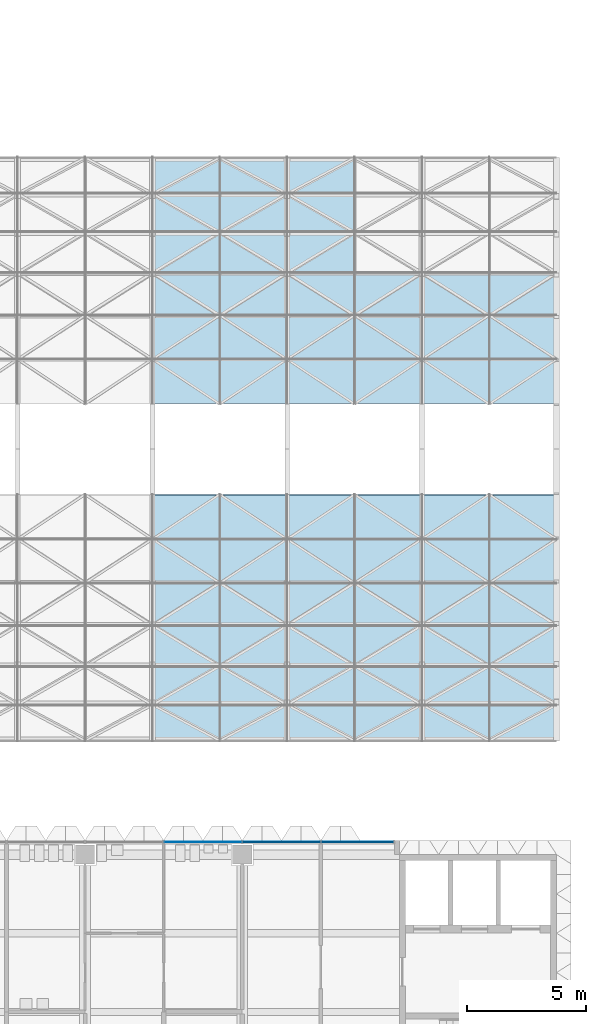
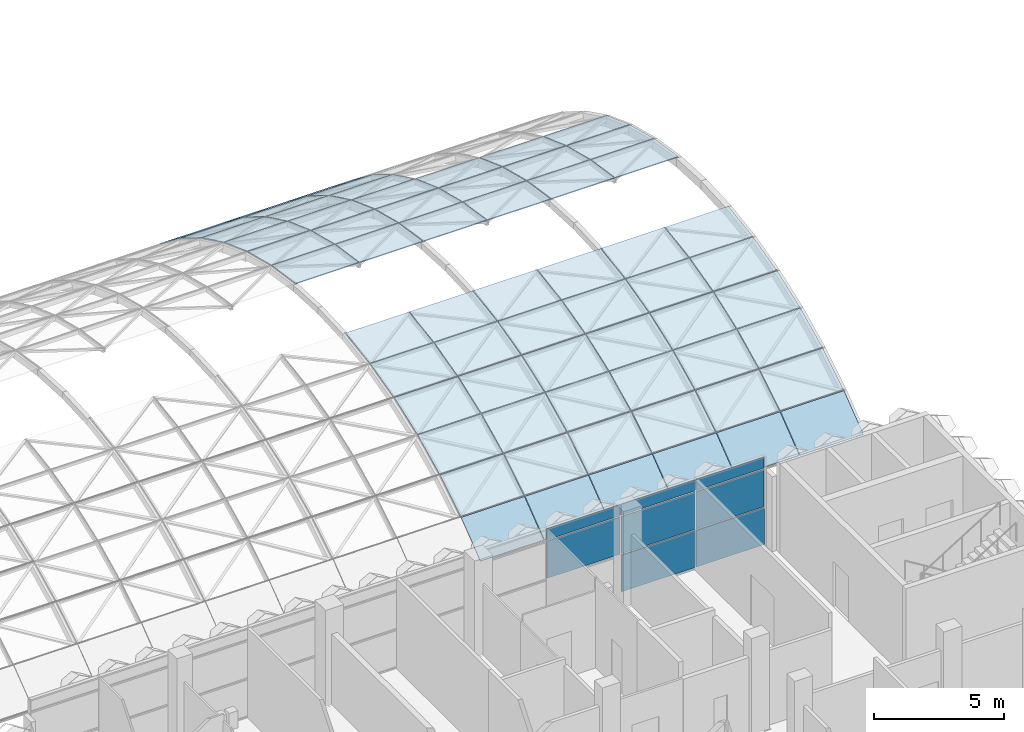
# One storey, part 23 of 85: 71 plates, 1 element without a shape of its own.
"""IFC4 building model written with IfcOpenShell, lengths in metres."""

from ifc_helpers import new_model, si_unit, direction, frame, origin, origin_2d, place, context, subcontext, project, spatial, polyline, rectangle, outline, extrude, material, layer, layer_set, type_object, element, aggregate, save


model = new_model("IFC4")

# Units and contexts
model_context = context("Model", 3, precision=1e-05, world=origin(), true_north=direction((0.0, 1.0)))
body_context = subcontext(model_context, "Body", "Model", "MODEL_VIEW")
ifc_project = project(units=[si_unit("LENGTHUNIT", "METRE"), si_unit("AREAUNIT", "SQUARE_METRE"), si_unit("VOLUMEUNIT", "CUBIC_METRE"), si_unit("PLANEANGLEUNIT", "RADIAN"), si_unit("MASSUNIT", "GRAM", prefix="KILO")], contexts=[model_context])

# Site, building, storey
site_placement = place(None, origin())
site = spatial("IfcSite", under=ifc_project, at=site_placement, CompositionType="ELEMENT")
building_placement = place(site_placement, origin())
building = spatial("IfcBuilding", under=site, at=building_placement, Name="Lantern Court Research Institute", CompositionType="ELEMENT")
storey_placement = place(building_placement, frame((0.0, 0.0, 18.89990234375)))
storey = spatial("IfcBuildingStorey", under=building, at=storey_placement, Name="L04", CompositionType="ELEMENT", Elevation=18.89990234375)

# Plates
ifc_material_1 = material(Name="Laminated low-emissivity glass", Category="glass")
ifc_layer_1 = layer(ifc_material_1, 0.035888671875)
ifc_layer_set_1 = layer_set([ifc_layer_1], Name="Laminated low-emissivity glass")
plate_type_1 = type_object("IfcPlateType", Name="Gridshell roof glazing panel 36", PredefinedType="SHEET", material=ifc_layer_set_1)
plate_1_placement = place(storey_placement, frame((65.047119140625, 34.502685546875, 3.881591796875), z_axis=(0.0, -0.249093192145, 0.9684795205), x_axis=(-1.0, 0.0, 0.0)))
element("IfcPlate", 1, at=plate_1_placement, inside=storey, type_object=plate_type_1, Name="Roof glazing panel", PredefinedType="SHEET", context=body_context, shape_type="SweptSolid", body=[
    extrude(outline(polyline([(0.0, 0.0), (2.80859375, 0.0), (2.80859375, -1.8818258177361935), (0.0, -1.8818258177361935), (0.0, 0.0)])), origin(), (0.0, 0.0, -1.0), 0.035888671875),
])
for number, where, z_axis, x_axis, name in (
    (2, (65.047119140625, 36.348876953125, 4.355224609375), (0.0, -0.150477827795, 0.988613384161), (-1.0, 0.0, 0.0), "Roof glazing panel"),
    (3, (65.047119140625, 42.04052734375, 4.638427734375), (0.0, 0.150477827795, 0.988613384161), (-1.0, 0.0, 0.0), "Roof glazing panel"),
):
    element("IfcPlate", number, at=place(storey_placement, frame(where, z_axis=z_axis, x_axis=x_axis)), inside=storey, type_object=plate_type_1, Name=name, PredefinedType="SHEET", context=body_context, shape_type="SweptSolid", body=[
        extrude(outline(polyline([(0.0, 0.0), (2.80859375, 0.0), (2.80859375, -1.8820256056964204), (0.0, -1.8820256056964204), (0.0, 0.0)])), origin(), (0.0, 0.0, -1.0), 0.035888671875),
    ])
for number, where, z_axis, x_axis, name in (
    (4, (65.047119140625, 43.9248046875, 4.350341796875), (0.0, 0.249093192145, 0.9684795205), (-1.0, 0.0, 0.0), "Roof glazing panel"),
    (5, (67.875732421875, 34.502685546875, 3.881591796875), (0.0, -0.249093192145, 0.9684795205), (-1.0, 0.0, 0.0), "Roof glazing panel"),
):
    element("IfcPlate", number, at=place(storey_placement, frame(where, z_axis=z_axis, x_axis=x_axis)), inside=storey, type_object=plate_type_1, Name=name, PredefinedType="SHEET", context=body_context, shape_type="SweptSolid", body=[
        extrude(outline(polyline([(0.0, 0.0), (2.80859375, 0.0), (2.80859375, -1.8818258177361935), (0.0, -1.8818258177361935), (0.0, 0.0)])), origin(), (0.0, 0.0, -1.0), 0.035888671875),
    ])
for number, where, z_axis, x_axis, name in (
    (6, (67.875732421875, 36.348876953125, 4.355224609375), (0.0, -0.150477827795, 0.988613384161), (-1.0, 0.0, 0.0), "Roof glazing panel"),
    (7, (67.875732421875, 42.04052734375, 4.638427734375), (0.0, 0.150477827795, 0.988613384161), (-1.0, 0.0, 0.0), "Roof glazing panel"),
):
    element("IfcPlate", number, at=place(storey_placement, frame(where, z_axis=z_axis, x_axis=x_axis)), inside=storey, type_object=plate_type_1, Name=name, PredefinedType="SHEET", context=body_context, shape_type="SweptSolid", body=[
        extrude(outline(polyline([(0.0, 0.0), (2.80859375, 0.0), (2.80859375, -1.8820256056964204), (0.0, -1.8820256056964204), (0.0, 0.0)])), origin(), (0.0, 0.0, -1.0), 0.035888671875),
    ])
for number, where, z_axis, x_axis, name in (
    (8, (67.875732421875, 43.9248046875, 4.350341796875), (0.0, 0.249093192145, 0.9684795205), (-1.0, 0.0, 0.0), "Roof glazing panel"),
    (9, (70.704345703125, 34.502685546875, 3.881591796875), (0.0, -0.249093192145, 0.9684795205), (-1.0, 0.0, 0.0), "Roof glazing panel"),
):
    element("IfcPlate", number, at=place(storey_placement, frame(where, z_axis=z_axis, x_axis=x_axis)), inside=storey, type_object=plate_type_1, Name=name, PredefinedType="SHEET", context=body_context, shape_type="SweptSolid", body=[
        extrude(outline(polyline([(0.0, 0.0), (2.80859375, 0.0), (2.80859375, -1.8818258177361935), (0.0, -1.8818258177361935), (0.0, 0.0)])), origin(), (0.0, 0.0, -1.0), 0.035888671875),
    ])
for number, where, z_axis, x_axis, name in (
    (10, (70.704345703125, 36.348876953125, 4.355224609375), (0.0, -0.150477827795, 0.988613384161), (-1.0, 0.0, 0.0), "Roof glazing panel"),
    (11, (70.704345703125, 42.04052734375, 4.638427734375), (0.0, 0.150477827795, 0.988613384161), (-1.0, 0.0, 0.0), "Roof glazing panel"),
):
    element("IfcPlate", number, at=place(storey_placement, frame(where, z_axis=z_axis, x_axis=x_axis)), inside=storey, type_object=plate_type_1, Name=name, PredefinedType="SHEET", context=body_context, shape_type="SweptSolid", body=[
        extrude(outline(polyline([(0.0, 0.0), (2.80859375, 0.0), (2.80859375, -1.8820256056964204), (0.0, -1.8820256056964204), (0.0, 0.0)])), origin(), (0.0, 0.0, -1.0), 0.035888671875),
    ])
for number, where, z_axis, x_axis, name in (
    (12, (70.704345703125, 43.9248046875, 4.350341796875), (0.0, 0.249093192145, 0.9684795205), (-1.0, 0.0, 0.0), "Roof glazing panel"),
    (13, (73.532958984375, 34.502685546875, 3.881591796875), (0.0, -0.249093192145, 0.9684795205), (-1.0, 0.0, 0.0), "Roof glazing panel"),
):
    element("IfcPlate", number, at=place(storey_placement, frame(where, z_axis=z_axis, x_axis=x_axis)), inside=storey, type_object=plate_type_1, Name=name, PredefinedType="SHEET", context=body_context, shape_type="SweptSolid", body=[
        extrude(outline(polyline([(0.0, 0.0), (2.80859375, 0.0), (2.80859375, -1.8818258177361935), (0.0, -1.8818258177361935), (0.0, 0.0)])), origin(), (0.0, 0.0, -1.0), 0.035888671875),
    ])
for number, where, z_axis, x_axis, name in (
    (14, (73.532958984375, 36.348876953125, 4.355224609375), (0.0, -0.150477827795, 0.988613384161), (-1.0, 0.0, 0.0), "Roof glazing panel"),
    (15, (73.532958984375, 42.04052734375, 4.638427734375), (0.0, 0.150477827795, 0.988613384161), (-1.0, 0.0, 0.0), "Roof glazing panel"),
):
    element("IfcPlate", number, at=place(storey_placement, frame(where, z_axis=z_axis, x_axis=x_axis)), inside=storey, type_object=plate_type_1, Name=name, PredefinedType="SHEET", context=body_context, shape_type="SweptSolid", body=[
        extrude(outline(polyline([(0.0, 0.0), (2.80859375, 0.0), (2.80859375, -1.8820256056964204), (0.0, -1.8820256056964204), (0.0, 0.0)])), origin(), (0.0, 0.0, -1.0), 0.035888671875),
    ])
plate_2_placement = place(storey_placement, frame((73.532958984375, 43.9248046875, 4.350341796875), z_axis=(0.0, 0.249093192145, 0.9684795205), x_axis=(-1.0, 0.0, 0.0)))
element("IfcPlate", 16, at=plate_2_placement, inside=storey, type_object=plate_type_1, Name="Roof glazing panel", PredefinedType="SHEET", context=body_context, shape_type="SweptSolid", body=[
    extrude(outline(polyline([(0.0, 0.0), (2.80859375, 0.0), (2.80859375, -1.8818258177361935), (0.0, -1.8818258177361935), (0.0, 0.0)])), origin(), (0.0, 0.0, -1.0), 0.035888671875),
])
plate_3_placement = place(storey_placement, frame((76.361328125, 34.502685546875, 3.881591796875), z_axis=(0.0, -0.249093192145, 0.9684795205), x_axis=(-1.0, 0.0, 0.0)))
element("IfcPlate", 17, at=plate_3_placement, inside=storey, type_object=plate_type_1, Name="Roof glazing panel", PredefinedType="SHEET", context=body_context, shape_type="SweptSolid", body=[
    extrude(outline(polyline([(0.0, 0.0), (2.808349609375, 0.0), (2.808349609375, -1.881825817736193), (0.0, -1.881825817736193), (0.0, 0.0)])), origin(), (0.0, 0.0, -1.0), 0.035888671875),
])
for number, where, z_axis, x_axis, name in (
    (18, (76.361328125, 36.348876953125, 4.355224609375), (0.0, -0.150477827795, 0.988613384161), (-1.0, 0.0, 0.0), "Roof glazing panel"),
    (19, (76.361328125, 42.04052734375, 4.638427734375), (0.0, 0.150477827795, 0.988613384161), (-1.0, 0.0, 0.0), "Roof glazing panel"),
):
    element("IfcPlate", number, at=place(storey_placement, frame(where, z_axis=z_axis, x_axis=x_axis)), inside=storey, type_object=plate_type_1, Name=name, PredefinedType="SHEET", context=body_context, shape_type="SweptSolid", body=[
        extrude(outline(polyline([(0.0, 0.0), (2.808349609375, 0.0), (2.808349609375, -1.8820256056964206), (0.0, -1.8820256056964206), (0.0, 0.0)])), origin(), (0.0, 0.0, -1.0), 0.035888671875),
    ])
plate_4_placement = place(storey_placement, frame((76.361328125, 43.9248046875, 4.350341796875), z_axis=(0.0, 0.249093192145, 0.9684795205), x_axis=(-1.0, 0.0, 0.0)))
element("IfcPlate", 20, at=plate_4_placement, inside=storey, type_object=plate_type_1, Name="Roof glazing panel", PredefinedType="SHEET", context=body_context, shape_type="SweptSolid", body=[
    extrude(outline(polyline([(0.0, 0.0), (2.808349609375, 0.0), (2.808349609375, -1.881825817736193), (0.0, -1.881825817736193), (0.0, 0.0)])), origin(), (0.0, 0.0, -1.0), 0.035888671875),
])
plate_5_placement = place(storey_placement, frame((79.18994140625, 34.502685546875, 3.881591796875), z_axis=(0.0, -0.249093192145, 0.9684795205), x_axis=(-1.0, 0.0, 0.0)))
element("IfcPlate", 21, at=plate_5_placement, inside=storey, type_object=plate_type_1, Name="Roof glazing panel", PredefinedType="SHEET", context=body_context, shape_type="SweptSolid", body=[
    extrude(outline(polyline([(0.0, 0.0), (2.80859375, 0.0), (2.80859375, -1.8818258177361935), (0.0, -1.8818258177361935), (0.0, 0.0)])), origin(), (0.0, 0.0, -1.0), 0.035888671875),
])
for number, where, z_axis, x_axis, name in (
    (22, (79.18994140625, 36.348876953125, 4.355224609375), (0.0, -0.150477827795, 0.988613384161), (-1.0, 0.0, 0.0), "Roof glazing panel"),
    (23, (79.18994140625, 42.04052734375, 4.638427734375), (0.0, 0.150477827795, 0.988613384161), (-1.0, 0.0, 0.0), "Roof glazing panel"),
):
    element("IfcPlate", number, at=place(storey_placement, frame(where, z_axis=z_axis, x_axis=x_axis)), inside=storey, type_object=plate_type_1, Name=name, PredefinedType="SHEET", context=body_context, shape_type="SweptSolid", body=[
        extrude(outline(polyline([(0.0, 0.0), (2.80859375, 0.0), (2.80859375, -1.8820256056964204), (0.0, -1.8820256056964204), (0.0, 0.0)])), origin(), (0.0, 0.0, -1.0), 0.035888671875),
    ])
plate_6_placement = place(storey_placement, frame((79.18994140625, 43.9248046875, 4.350341796875), z_axis=(0.0, 0.249093192145, 0.9684795205), x_axis=(-1.0, 0.0, 0.0)))
element("IfcPlate", 24, at=plate_6_placement, inside=storey, type_object=plate_type_1, Name="Roof glazing panel", PredefinedType="SHEET", context=body_context, shape_type="SweptSolid", body=[
    extrude(outline(polyline([(0.0, 0.0), (2.80859375, 0.0), (2.80859375, -1.8818258177361935), (0.0, -1.8818258177361935), (0.0, 0.0)])), origin(), (0.0, 0.0, -1.0), 0.035888671875),
])
ifc_material_2 = material(Name="Laminated low-emissivity glass", Category="glass")
ifc_layer_2 = layer(ifc_material_2, 0.0439453125)
ifc_layer_set_2 = layer_set([ifc_layer_2], Name="Laminated low-emissivity glass")
plate_type_2 = type_object("IfcPlateType", Name="Gridshell roof glazing panel 44", PredefinedType="SHEET", material=ifc_layer_set_2)
plate_7_placement = place(storey_placement, frame((65.047119140625, 27.86181640625, 0.23828125), z_axis=(0.0, -0.60878642587, 0.793334158899), x_axis=(-1.0, 0.0, 0.0)))
element("IfcPlate", 25, at=plate_7_placement, inside=storey, type_object=plate_type_2, Name="Roof glazing panel", PredefinedType="SHEET", context=body_context, shape_type="SweptSolid", body=[
    extrude(outline(polyline([(0.0, 0.0), (2.80859375, 0.0), (2.80859375, -1.8772137765583714), (0.0, -1.8772137765583714), (0.0, 0.0)])), origin(), (0.0, 0.0, -1.0), 0.0439453125),
])
plate_8_placement = place(storey_placement, frame((65.047119140625, 29.37451171875, 1.3974609375), z_axis=(0.0, -0.525951989181, 0.850514259185), x_axis=(-1.0, 0.0, 0.0)))
element("IfcPlate", 26, at=plate_8_placement, inside=storey, type_object=plate_type_2, Name="Roof glazing panel", PredefinedType="SHEET", context=body_context, shape_type="SweptSolid", body=[
    extrude(outline(polyline([(0.0, 0.0), (2.80859375, 0.0), (2.80859375, -1.8790332013740056), (0.0, -1.8790332013740056), (0.0, 0.0)])), origin(), (0.0, 0.0, -1.0), 0.0439453125),
])
plate_9_placement = place(storey_placement, frame((65.047119140625, 30.99658203125, 2.39892578125), z_axis=(0.0, -0.437840262828, 0.89905278168), x_axis=(-1.0, 0.0, 0.0)))
element("IfcPlate", 27, at=plate_9_placement, inside=storey, type_object=plate_type_2, Name="Roof glazing panel", PredefinedType="SHEET", context=body_context, shape_type="SweptSolid", body=[
    extrude(outline(polyline([(0.0, 0.0), (2.80859375, 0.0), (2.80859375, -1.8802340885275783), (0.0, -1.8802340885275783), (0.0, 0.0)])), origin(), (0.0, 0.0, -1.0), 0.0439453125),
])
for number, where, z_axis, x_axis, name in (
    (28, (65.047119140625, 32.7109375, 3.232421875), (0.0, -0.345200137795, 0.938529096441), (-1.0, 0.0, 0.0), "Roof glazing panel"),
    (29, (65.047119140625, 45.7734375, 3.8818359375), (0.0, 0.345200137795, 0.938529096441), (-1.0, 0.0, 0.0), "Roof glazing panel"),
):
    element("IfcPlate", number, at=place(storey_placement, frame(where, z_axis=z_axis, x_axis=x_axis)), inside=storey, type_object=plate_type_2, Name=name, PredefinedType="SHEET", context=body_context, shape_type="SweptSolid", body=[
        extrude(outline(polyline([(0.0, 0.0), (2.80859375, 0.0), (2.80859375, -1.8812682597646073), (0.0, -1.8812682597646073), (0.0, 0.0)])), origin(), (0.0, 0.0, -1.0), 0.0439453125),
    ])
plate_10_placement = place(storey_placement, frame((65.047119140625, 47.56298828125, 3.22216796875), z_axis=(0.0, 0.437840262828, 0.89905278168), x_axis=(-1.0, 0.0, 0.0)))
element("IfcPlate", 30, at=plate_10_placement, inside=storey, type_object=plate_type_2, Name="Roof glazing panel", PredefinedType="SHEET", context=body_context, shape_type="SweptSolid", body=[
    extrude(outline(polyline([(0.0, 0.0), (2.80859375, 0.0), (2.80859375, -1.8802340885275783), (0.0, -1.8802340885275783), (0.0, 0.0)])), origin(), (0.0, 0.0, -1.0), 0.0439453125),
])
plate_11_placement = place(storey_placement, frame((65.047119140625, 49.27734375, 2.3857421875), z_axis=(0.0, 0.525951989181, 0.850514259185), x_axis=(-1.0, 0.0, 0.0)))
element("IfcPlate", 31, at=plate_11_placement, inside=storey, type_object=plate_type_2, Name="Roof glazing panel", PredefinedType="SHEET", context=body_context, shape_type="SweptSolid", body=[
    extrude(outline(polyline([(0.0, 0.0), (2.80859375, 0.0), (2.80859375, -1.8790332013740056), (0.0, -1.8790332013740056), (0.0, 0.0)])), origin(), (0.0, 0.0, -1.0), 0.0439453125),
])
for number, where, z_axis, x_axis, name in (
    (32, (65.047119140625, 50.89892578125, 1.381103515625), (0.0, 0.60878642587, 0.793334158899), (-1.0, 0.0, 0.0), "Roof glazing panel"),
    (33, (67.875732421875, 27.86181640625, 0.23828125), (0.0, -0.60878642587, 0.793334158899), (-1.0, 0.0, 0.0), "Roof glazing panel"),
):
    element("IfcPlate", number, at=place(storey_placement, frame(where, z_axis=z_axis, x_axis=x_axis)), inside=storey, type_object=plate_type_2, Name=name, PredefinedType="SHEET", context=body_context, shape_type="SweptSolid", body=[
        extrude(outline(polyline([(0.0, 0.0), (2.80859375, 0.0), (2.80859375, -1.8772137765583714), (0.0, -1.8772137765583714), (0.0, 0.0)])), origin(), (0.0, 0.0, -1.0), 0.0439453125),
    ])
plate_12_placement = place(storey_placement, frame((67.875732421875, 29.37451171875, 1.3974609375), z_axis=(0.0, -0.525951989181, 0.850514259185), x_axis=(-1.0, 0.0, 0.0)))
element("IfcPlate", 34, at=plate_12_placement, inside=storey, type_object=plate_type_2, Name="Roof glazing panel", PredefinedType="SHEET", context=body_context, shape_type="SweptSolid", body=[
    extrude(outline(polyline([(0.0, 0.0), (2.80859375, 0.0), (2.80859375, -1.8790332013740056), (0.0, -1.8790332013740056), (0.0, 0.0)])), origin(), (0.0, 0.0, -1.0), 0.0439453125),
])
plate_13_placement = place(storey_placement, frame((67.875732421875, 30.99658203125, 2.39892578125), z_axis=(0.0, -0.437840262828, 0.89905278168), x_axis=(-1.0, 0.0, 0.0)))
element("IfcPlate", 35, at=plate_13_placement, inside=storey, type_object=plate_type_2, Name="Roof glazing panel", PredefinedType="SHEET", context=body_context, shape_type="SweptSolid", body=[
    extrude(outline(polyline([(0.0, 0.0), (2.80859375, 0.0), (2.80859375, -1.8802340885275783), (0.0, -1.8802340885275783), (0.0, 0.0)])), origin(), (0.0, 0.0, -1.0), 0.0439453125),
])
for number, where, z_axis, x_axis, name in (
    (36, (67.875732421875, 32.7109375, 3.232421875), (0.0, -0.345200137795, 0.938529096441), (-1.0, 0.0, 0.0), "Roof glazing panel"),
    (37, (67.875732421875, 45.7734375, 3.8818359375), (0.0, 0.345200137795, 0.938529096441), (-1.0, 0.0, 0.0), "Roof glazing panel"),
):
    element("IfcPlate", number, at=place(storey_placement, frame(where, z_axis=z_axis, x_axis=x_axis)), inside=storey, type_object=plate_type_2, Name=name, PredefinedType="SHEET", context=body_context, shape_type="SweptSolid", body=[
        extrude(outline(polyline([(0.0, 0.0), (2.80859375, 0.0), (2.80859375, -1.8812682597646073), (0.0, -1.8812682597646073), (0.0, 0.0)])), origin(), (0.0, 0.0, -1.0), 0.0439453125),
    ])
plate_14_placement = place(storey_placement, frame((67.875732421875, 47.56298828125, 3.22216796875), z_axis=(0.0, 0.437840262828, 0.89905278168), x_axis=(-1.0, 0.0, 0.0)))
element("IfcPlate", 38, at=plate_14_placement, inside=storey, type_object=plate_type_2, Name="Roof glazing panel", PredefinedType="SHEET", context=body_context, shape_type="SweptSolid", body=[
    extrude(outline(polyline([(0.0, 0.0), (2.80859375, 0.0), (2.80859375, -1.8802340885275783), (0.0, -1.8802340885275783), (0.0, 0.0)])), origin(), (0.0, 0.0, -1.0), 0.0439453125),
])
plate_15_placement = place(storey_placement, frame((67.875732421875, 49.27734375, 2.3857421875), z_axis=(0.0, 0.525951989181, 0.850514259185), x_axis=(-1.0, 0.0, 0.0)))
element("IfcPlate", 39, at=plate_15_placement, inside=storey, type_object=plate_type_2, Name="Roof glazing panel", PredefinedType="SHEET", context=body_context, shape_type="SweptSolid", body=[
    extrude(outline(polyline([(0.0, 0.0), (2.80859375, 0.0), (2.80859375, -1.8790332013740056), (0.0, -1.8790332013740056), (0.0, 0.0)])), origin(), (0.0, 0.0, -1.0), 0.0439453125),
])
for number, where, z_axis, x_axis, name in (
    (40, (67.875732421875, 50.89892578125, 1.381103515625), (0.0, 0.60878642587, 0.793334158899), (-1.0, 0.0, 0.0), "Roof glazing panel"),
    (41, (70.704345703125, 27.86181640625, 0.23828125), (0.0, -0.60878642587, 0.793334158899), (-1.0, 0.0, 0.0), "Roof glazing panel"),
):
    element("IfcPlate", number, at=place(storey_placement, frame(where, z_axis=z_axis, x_axis=x_axis)), inside=storey, type_object=plate_type_2, Name=name, PredefinedType="SHEET", context=body_context, shape_type="SweptSolid", body=[
        extrude(outline(polyline([(0.0, 0.0), (2.80859375, 0.0), (2.80859375, -1.8772137765583714), (0.0, -1.8772137765583714), (0.0, 0.0)])), origin(), (0.0, 0.0, -1.0), 0.0439453125),
    ])
plate_16_placement = place(storey_placement, frame((70.704345703125, 29.37451171875, 1.3974609375), z_axis=(0.0, -0.525951989181, 0.850514259185), x_axis=(-1.0, 0.0, 0.0)))
element("IfcPlate", 42, at=plate_16_placement, inside=storey, type_object=plate_type_2, Name="Roof glazing panel", PredefinedType="SHEET", context=body_context, shape_type="SweptSolid", body=[
    extrude(outline(polyline([(0.0, 0.0), (2.80859375, 0.0), (2.80859375, -1.8790332013740056), (0.0, -1.8790332013740056), (0.0, 0.0)])), origin(), (0.0, 0.0, -1.0), 0.0439453125),
])
plate_17_placement = place(storey_placement, frame((70.704345703125, 30.99658203125, 2.39892578125), z_axis=(0.0, -0.437840262828, 0.89905278168), x_axis=(-1.0, 0.0, 0.0)))
element("IfcPlate", 43, at=plate_17_placement, inside=storey, type_object=plate_type_2, Name="Roof glazing panel", PredefinedType="SHEET", context=body_context, shape_type="SweptSolid", body=[
    extrude(outline(polyline([(0.0, 0.0), (2.80859375, 0.0), (2.80859375, -1.8802340885275783), (0.0, -1.8802340885275783), (0.0, 0.0)])), origin(), (0.0, 0.0, -1.0), 0.0439453125),
])
for number, where, z_axis, x_axis, name in (
    (44, (70.704345703125, 32.7109375, 3.232421875), (0.0, -0.345200137795, 0.938529096441), (-1.0, 0.0, 0.0), "Roof glazing panel"),
    (45, (70.704345703125, 45.7734375, 3.8818359375), (0.0, 0.345200137795, 0.938529096441), (-1.0, 0.0, 0.0), "Roof glazing panel"),
):
    element("IfcPlate", number, at=place(storey_placement, frame(where, z_axis=z_axis, x_axis=x_axis)), inside=storey, type_object=plate_type_2, Name=name, PredefinedType="SHEET", context=body_context, shape_type="SweptSolid", body=[
        extrude(outline(polyline([(0.0, 0.0), (2.80859375, 0.0), (2.80859375, -1.8812682597646073), (0.0, -1.8812682597646073), (0.0, 0.0)])), origin(), (0.0, 0.0, -1.0), 0.0439453125),
    ])
plate_18_placement = place(storey_placement, frame((70.704345703125, 47.56298828125, 3.22216796875), z_axis=(0.0, 0.437840262828, 0.89905278168), x_axis=(-1.0, 0.0, 0.0)))
element("IfcPlate", 46, at=plate_18_placement, inside=storey, type_object=plate_type_2, Name="Roof glazing panel", PredefinedType="SHEET", context=body_context, shape_type="SweptSolid", body=[
    extrude(outline(polyline([(0.0, 0.0), (2.80859375, 0.0), (2.80859375, -1.8802340885275783), (0.0, -1.8802340885275783), (0.0, 0.0)])), origin(), (0.0, 0.0, -1.0), 0.0439453125),
])
plate_19_placement = place(storey_placement, frame((70.704345703125, 49.27734375, 2.3857421875), z_axis=(0.0, 0.525951989181, 0.850514259185), x_axis=(-1.0, 0.0, 0.0)))
element("IfcPlate", 47, at=plate_19_placement, inside=storey, type_object=plate_type_2, Name="Roof glazing panel", PredefinedType="SHEET", context=body_context, shape_type="SweptSolid", body=[
    extrude(outline(polyline([(0.0, 0.0), (2.80859375, 0.0), (2.80859375, -1.8790332013740056), (0.0, -1.8790332013740056), (0.0, 0.0)])), origin(), (0.0, 0.0, -1.0), 0.0439453125),
])
for number, where, z_axis, x_axis, name in (
    (48, (70.704345703125, 50.89892578125, 1.381103515625), (0.0, 0.60878642587, 0.793334158899), (-1.0, 0.0, 0.0), "Roof glazing panel"),
    (49, (73.532958984375, 27.86181640625, 0.23828125), (0.0, -0.60878642587, 0.793334158899), (-1.0, 0.0, 0.0), "Roof glazing panel"),
):
    element("IfcPlate", number, at=place(storey_placement, frame(where, z_axis=z_axis, x_axis=x_axis)), inside=storey, type_object=plate_type_2, Name=name, PredefinedType="SHEET", context=body_context, shape_type="SweptSolid", body=[
        extrude(outline(polyline([(0.0, 0.0), (2.80859375, 0.0), (2.80859375, -1.8772137765583714), (0.0, -1.8772137765583714), (0.0, 0.0)])), origin(), (0.0, 0.0, -1.0), 0.0439453125),
    ])
plate_20_placement = place(storey_placement, frame((73.532958984375, 29.37451171875, 1.3974609375), z_axis=(0.0, -0.525951989181, 0.850514259185), x_axis=(-1.0, 0.0, 0.0)))
element("IfcPlate", 50, at=plate_20_placement, inside=storey, type_object=plate_type_2, Name="Roof glazing panel", PredefinedType="SHEET", context=body_context, shape_type="SweptSolid", body=[
    extrude(outline(polyline([(0.0, 0.0), (2.80859375, 0.0), (2.80859375, -1.8790332013740056), (0.0, -1.8790332013740056), (0.0, 0.0)])), origin(), (0.0, 0.0, -1.0), 0.0439453125),
])
plate_21_placement = place(storey_placement, frame((73.532958984375, 30.99658203125, 2.39892578125), z_axis=(0.0, -0.437840262828, 0.89905278168), x_axis=(-1.0, 0.0, 0.0)))
element("IfcPlate", 51, at=plate_21_placement, inside=storey, type_object=plate_type_2, Name="Roof glazing panel", PredefinedType="SHEET", context=body_context, shape_type="SweptSolid", body=[
    extrude(outline(polyline([(0.0, 0.0), (2.80859375, 0.0), (2.80859375, -1.8802340885275783), (0.0, -1.8802340885275783), (0.0, 0.0)])), origin(), (0.0, 0.0, -1.0), 0.0439453125),
])
for number, where, z_axis, x_axis, name in (
    (52, (73.532958984375, 32.7109375, 3.232421875), (0.0, -0.345200137795, 0.938529096441), (-1.0, 0.0, 0.0), "Roof glazing panel"),
    (53, (73.532958984375, 45.7734375, 3.8818359375), (0.0, 0.345200137795, 0.938529096441), (-1.0, 0.0, 0.0), "Roof glazing panel"),
):
    element("IfcPlate", number, at=place(storey_placement, frame(where, z_axis=z_axis, x_axis=x_axis)), inside=storey, type_object=plate_type_2, Name=name, PredefinedType="SHEET", context=body_context, shape_type="SweptSolid", body=[
        extrude(outline(polyline([(0.0, 0.0), (2.80859375, 0.0), (2.80859375, -1.8812682597646073), (0.0, -1.8812682597646073), (0.0, 0.0)])), origin(), (0.0, 0.0, -1.0), 0.0439453125),
    ])
plate_22_placement = place(storey_placement, frame((76.361328125, 27.86181640625, 0.23828125), z_axis=(0.0, -0.60878642587, 0.793334158899), x_axis=(-1.0, 0.0, 0.0)))
element("IfcPlate", 54, at=plate_22_placement, inside=storey, type_object=plate_type_2, Name="Roof glazing panel", PredefinedType="SHEET", context=body_context, shape_type="SweptSolid", body=[
    extrude(outline(polyline([(0.0, 0.0), (2.808349609375, 0.0), (2.808349609375, -1.8772137765583714), (0.0, -1.8772137765583714), (0.0, 0.0)])), origin(), (0.0, 0.0, -1.0), 0.0439453125),
])
plate_23_placement = place(storey_placement, frame((76.361328125, 29.37451171875, 1.3974609375), z_axis=(0.0, -0.525951989181, 0.850514259185), x_axis=(-1.0, 0.0, 0.0)))
element("IfcPlate", 55, at=plate_23_placement, inside=storey, type_object=plate_type_2, Name="Roof glazing panel", PredefinedType="SHEET", context=body_context, shape_type="SweptSolid", body=[
    extrude(outline(polyline([(0.0, 0.0), (2.808349609375, 0.0), (2.808349609375, -1.8790332013740056), (0.0, -1.8790332013740056), (0.0, 0.0)])), origin(), (0.0, 0.0, -1.0), 0.0439453125),
])
plate_24_placement = place(storey_placement, frame((76.361328125, 30.99658203125, 2.39892578125), z_axis=(0.0, -0.437840262828, 0.89905278168), x_axis=(-1.0, 0.0, 0.0)))
element("IfcPlate", 56, at=plate_24_placement, inside=storey, type_object=plate_type_2, Name="Roof glazing panel", PredefinedType="SHEET", context=body_context, shape_type="SweptSolid", body=[
    extrude(outline(polyline([(0.0, 0.0), (2.808349609375, 0.0), (2.808349609375, -1.8802340885275781), (0.0, -1.8802340885275781), (0.0, 0.0)])), origin(), (0.0, 0.0, -1.0), 0.0439453125),
])
for number, where, z_axis, x_axis, name in (
    (57, (76.361328125, 32.7109375, 3.232421875), (0.0, -0.345200137795, 0.938529096441), (-1.0, 0.0, 0.0), "Roof glazing panel"),
    (58, (76.361328125, 45.7734375, 3.8818359375), (0.0, 0.345200137795, 0.938529096441), (-1.0, 0.0, 0.0), "Roof glazing panel"),
):
    element("IfcPlate", number, at=place(storey_placement, frame(where, z_axis=z_axis, x_axis=x_axis)), inside=storey, type_object=plate_type_2, Name=name, PredefinedType="SHEET", context=body_context, shape_type="SweptSolid", body=[
        extrude(outline(polyline([(0.0, 0.0), (2.808349609375, 0.0), (2.808349609375, -1.8812682597646073), (0.0, -1.8812682597646073), (0.0, 0.0)])), origin(), (0.0, 0.0, -1.0), 0.0439453125),
    ])
plate_25_placement = place(storey_placement, frame((79.18994140625, 27.86181640625, 0.23828125), z_axis=(0.0, -0.60878642587, 0.793334158899), x_axis=(-1.0, 0.0, 0.0)))
element("IfcPlate", 59, at=plate_25_placement, inside=storey, type_object=plate_type_2, Name="Roof glazing panel", PredefinedType="SHEET", context=body_context, shape_type="SweptSolid", body=[
    extrude(outline(polyline([(0.0, 0.0), (2.80859375, 0.0), (2.80859375, -1.8772137765583714), (0.0, -1.8772137765583714), (0.0, 0.0)])), origin(), (0.0, 0.0, -1.0), 0.0439453125),
])
plate_26_placement = place(storey_placement, frame((79.18994140625, 29.37451171875, 1.3974609375), z_axis=(0.0, -0.525951989181, 0.850514259185), x_axis=(-1.0, 0.0, 0.0)))
element("IfcPlate", 60, at=plate_26_placement, inside=storey, type_object=plate_type_2, Name="Roof glazing panel", PredefinedType="SHEET", context=body_context, shape_type="SweptSolid", body=[
    extrude(outline(polyline([(0.0, 0.0), (2.80859375, 0.0), (2.80859375, -1.8790332013740056), (0.0, -1.8790332013740056), (0.0, 0.0)])), origin(), (0.0, 0.0, -1.0), 0.0439453125),
])
plate_27_placement = place(storey_placement, frame((79.18994140625, 30.99658203125, 2.39892578125), z_axis=(0.0, -0.437840262828, 0.89905278168), x_axis=(-1.0, 0.0, 0.0)))
element("IfcPlate", 61, at=plate_27_placement, inside=storey, type_object=plate_type_2, Name="Roof glazing panel", PredefinedType="SHEET", context=body_context, shape_type="SweptSolid", body=[
    extrude(outline(polyline([(0.0, 0.0), (2.80859375, 0.0), (2.80859375, -1.8802340885275783), (0.0, -1.8802340885275783), (0.0, 0.0)])), origin(), (0.0, 0.0, -1.0), 0.0439453125),
])
for number, where, z_axis, x_axis, name in (
    (62, (79.18994140625, 32.7109375, 3.232421875), (0.0, -0.345200137795, 0.938529096441), (-1.0, 0.0, 0.0), "Roof glazing panel"),
    (63, (79.18994140625, 45.7734375, 3.8818359375), (0.0, 0.345200137795, 0.938529096441), (-1.0, 0.0, 0.0), "Roof glazing panel"),
):
    element("IfcPlate", number, at=place(storey_placement, frame(where, z_axis=z_axis, x_axis=x_axis)), inside=storey, type_object=plate_type_2, Name=name, PredefinedType="SHEET", context=body_context, shape_type="SweptSolid", body=[
        extrude(outline(polyline([(0.0, 0.0), (2.80859375, 0.0), (2.80859375, -1.8812682597646073), (0.0, -1.8812682597646073), (0.0, 0.0)])), origin(), (0.0, 0.0, -1.0), 0.0439453125),
    ])

# Curtain wall, plates
ifc_material_3 = material(Name="Aluminium alloy 6063-T6", Category="aluminium")
curtain_wall_type = type_object("IfcCurtainWallType", Name="Curtain wall 19600 x 4200 x 150 aluminium frame", PredefinedType="NOTDEFINED", material=ifc_material_3)
curtain_wall_placement = place(storey_placement, origin())
curtain_wall = element("IfcCurtainWall", 64, at=curtain_wall_placement, inside=storey, type_object=curtain_wall_type, Name="Curtain wall CW066", PredefinedType="NOTDEFINED")
ifc_material_4 = material(Name="Insulated aluminium spandrel panel", Category="aluminium")
ifc_layer_3 = layer(ifc_material_4, 0.06005859375)
ifc_layer_set_3 = layer_set([ifc_layer_3], Name="Insulated aluminium spandrel panel")
plate_type_3 = type_object("IfcPlateType", Name="Insulated spandrel panel 60 mm", PredefinedType="CURTAIN_PANEL", material=ifc_layer_set_3)
plate_28_placement = place(storey_placement, frame((67.64990234375, 23.625, 0.06005859375), z_axis=(0.0, 0.0, 1.0), x_axis=(1.0, 0.0, 0.0)))
plate_28 = element("IfcPlate", 65, at=plate_28_placement, type_object=plate_type_3, Name="CW066 spandrel panel 5.1", PredefinedType="CURTAIN_PANEL", context=body_context, shape_type="SweptSolid", body=[
    extrude(rectangle(XDim=3.239990234375, YDim=0.06005859375, at=origin_2d()), origin(), (0.0, 0.0, 1.0), 1.7099609375),
])
plate_29_placement = place(storey_placement, frame((70.8349609375, 23.625, 0.06005859375), z_axis=(0.0, 0.0, 1.0), x_axis=(1.0, 0.0, 0.0)))
plate_29 = element("IfcPlate", 66, at=plate_29_placement, type_object=plate_type_3, Name="CW066 spandrel panel 6.1", PredefinedType="CURTAIN_PANEL", context=body_context, shape_type="SweptSolid", body=[
    extrude(rectangle(XDim=3.010009765625, YDim=0.06005859375, at=origin_2d()), origin(), (0.0, 0.0, 1.0), 1.7099609375),
])
ifc_material_5 = material(Name="Laminated low-emissivity glass", Category="glass")
ifc_layer_4 = layer(ifc_material_5, 0.028076171875)
ifc_layer_set_4 = layer_set([ifc_layer_4], Name="Laminated low-emissivity glass")
plate_type_4 = type_object("IfcPlateType", Name="Laminated low-emissivity unit 28 mm", PredefinedType="CURTAIN_PANEL", material=ifc_layer_set_4)
plate_30_placement = place(storey_placement, frame((64.35009765625, 23.625, 1.830078125), z_axis=(0.0, 0.0, 1.0), x_axis=(1.0, 0.0, 0.0)))
plate_30 = element("IfcPlate", 67, at=plate_30_placement, type_object=plate_type_4, Name="CW066 glazed panel 4.2", PredefinedType="CURTAIN_PANEL", context=body_context, shape_type="SweptSolid", body=[
    extrude(rectangle(XDim=3.239990234375, YDim=0.028076171875, at=origin_2d()), origin(), (0.0, 0.0, 1.0), 1.739990234375),
])
plate_31_placement = place(storey_placement, frame((64.35009765625, 23.625, 3.6298828125), z_axis=(0.0, 0.0, 1.0), x_axis=(1.0, 0.0, 0.0)))
plate_31 = element("IfcPlate", 68, at=plate_31_placement, type_object=plate_type_4, Name="CW066 glazed panel 4.3", PredefinedType="CURTAIN_PANEL", context=body_context, shape_type="SweptSolid", body=[
    extrude(rectangle(XDim=3.239990234375, YDim=0.028076171875, at=origin_2d()), origin(), (0.0, 0.0, 1.0), 0.510009765625),
])
plate_32_placement = place(storey_placement, frame((67.64990234375, 23.625, 1.830078125), z_axis=(0.0, 0.0, 1.0), x_axis=(1.0, 0.0, 0.0)))
plate_32 = element("IfcPlate", 69, at=plate_32_placement, type_object=plate_type_4, Name="CW066 glazed panel 5.2", PredefinedType="CURTAIN_PANEL", context=body_context, shape_type="SweptSolid", body=[
    extrude(rectangle(XDim=3.239990234375, YDim=0.028076171875, at=origin_2d()), origin(), (0.0, 0.0, 1.0), 1.739990234375),
])
plate_33_placement = place(storey_placement, frame((67.64990234375, 23.625, 3.6298828125), z_axis=(0.0, 0.0, 1.0), x_axis=(1.0, 0.0, 0.0)))
plate_33 = element("IfcPlate", 70, at=plate_33_placement, type_object=plate_type_4, Name="CW066 glazed panel 5.3", PredefinedType="CURTAIN_PANEL", context=body_context, shape_type="SweptSolid", body=[
    extrude(rectangle(XDim=3.239990234375, YDim=0.028076171875, at=origin_2d()), origin(), (0.0, 0.0, 1.0), 0.510009765625),
])
plate_34_placement = place(storey_placement, frame((70.8349609375, 23.625, 1.830078125), z_axis=(0.0, 0.0, 1.0), x_axis=(1.0, 0.0, 0.0)))
plate_34 = element("IfcPlate", 71, at=plate_34_placement, type_object=plate_type_4, Name="CW066 glazed panel 6.2", PredefinedType="CURTAIN_PANEL", context=body_context, shape_type="SweptSolid", body=[
    extrude(rectangle(XDim=3.010009765625, YDim=0.028076171875, at=origin_2d()), origin(), (0.0, 0.0, 1.0), 1.739990234375),
])
plate_35_placement = place(storey_placement, frame((70.8349609375, 23.625, 3.6298828125), z_axis=(0.0, 0.0, 1.0), x_axis=(1.0, 0.0, 0.0)))
plate_35 = element("IfcPlate", 72, at=plate_35_placement, type_object=plate_type_4, Name="CW066 glazed panel 6.3", PredefinedType="CURTAIN_PANEL", context=body_context, shape_type="SweptSolid", body=[
    extrude(rectangle(XDim=3.010009765625, YDim=0.028076171875, at=origin_2d()), origin(), (0.0, 0.0, 1.0), 0.510009765625),
])
aggregate(curtain_wall, [plate_30, plate_31, plate_28, plate_32, plate_33, plate_29, plate_34, plate_35])

save(model, "model.ifc")
